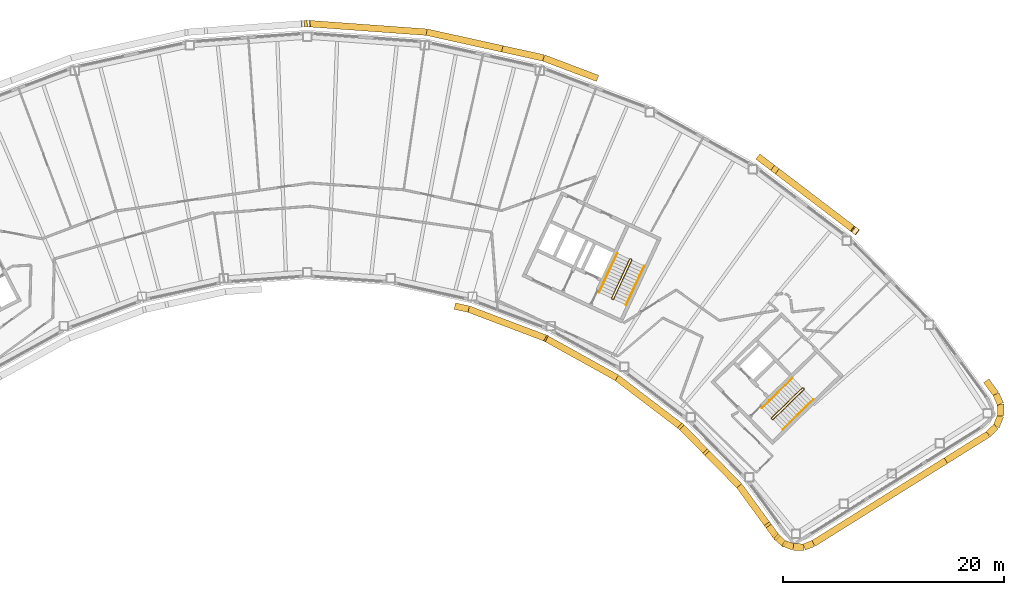
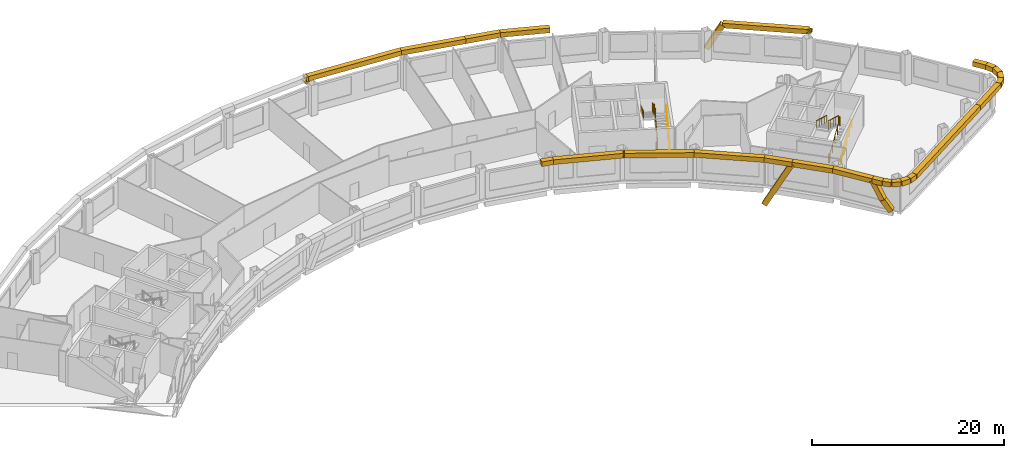
# One storey, part 13 of 13: 33 coverings, 6 railings.
"""IFC4 building model written with IfcOpenShell, lengths in metres."""

from ifc_helpers import new_model, si_unit, direction, frame, origin, origin_2d, place, context, subcontext, project, spatial, rectangle, circle, extrude, material, material_profile, profile_set, type_object, element, save


model = new_model("IFC4")

# Units and contexts
model_context = context("Model", 3, precision=1e-05, world=origin(), true_north=direction((0.0, 1.0)))
body_context = subcontext(model_context, "Body", "Model", "MODEL_VIEW")
ifc_project = project(units=[si_unit("LENGTHUNIT", "METRE"), si_unit("AREAUNIT", "SQUARE_METRE"), si_unit("VOLUMEUNIT", "CUBIC_METRE"), si_unit("PLANEANGLEUNIT", "RADIAN"), si_unit("MASSUNIT", "GRAM", prefix="KILO")], contexts=[model_context])

# Site, building, storey
site_placement = place(None, origin())
site = spatial("IfcSite", under=ifc_project, at=site_placement, CompositionType="ELEMENT")
building_placement = place(site_placement, origin())
building = spatial("IfcBuilding", under=site, at=building_placement, Name="Tuul Gate Civic Tower", CompositionType="ELEMENT")
storey_placement = place(building_placement, frame((0.0, 0.0, 230.5)))
storey = spatial("IfcBuildingStorey", under=building, at=storey_placement, Name="Level 52", CompositionType="ELEMENT", Elevation=230.5)

# Railings
ifc_material_1 = material(Name="Painted steel", Category="steel")
railing_type_1 = type_object("IfcRailingType", Name="Stair guard", PredefinedType="GUARDRAIL", material=ifc_material_1)
railing_1_placement = place(storey_placement, frame((48.10546875, -16.134765625, 0.0)))
element("IfcRailing", 1, at=railing_1_placement, inside=storey, type_object=railing_type_1, Name="Level 52 ST-3 stair guard 1", PredefinedType="GUARDRAIL", context=body_context, shape_type="SweptSolid", body=[
    extrude(circle(Radius=0.02392578125, at=origin_2d()), frame((0.0, 0.0, 1.076171875), z_axis=(-0.698506948293, 0.715603272202, 0.0), x_axis=(-0.715603272202, -0.698506948293, 0.0)), (0.0, 0.0, 1.0), 0.099853515625),
    extrude(circle(Radius=0.02392578125, at=origin_2d()), frame((-0.06982421875, 0.071533203125, 1.076171875), z_axis=(0.645446321009, -0.331687692741, 0.688027849131), x_axis=(0.457068866502, 0.889431307788, 0.0)), (0.0, 0.0, 1.0), 0.2177734375),
    extrude(circle(Radius=0.02392578125, at=origin_2d()), frame((0.07080078125, -0.000732421875, 1.22607421875), z_axis=(0.638715268259, 0.626117886127, 0.447235059857), x_axis=(-0.700029477518, 0.714113947914, 0.0)), (0.0, 0.0, 1.0), 4.360595703125),
    extrude(circle(Radius=0.02392578125, at=origin_2d()), frame((2.85595703125, 2.7294921875, 3.17626953125), z_axis=(0.010380063588, 0.999946125689, 0.0), x_axis=(-0.999946125689, 0.010380063588, 0.0)), (0.0, 0.0, 1.0), 0.070556640625),
    extrude(circle(Radius=0.02392578125, at=origin_2d()), frame((2.856689453125, 2.800048828125, 3.17626953125), z_axis=(-0.699754442181, 0.714383454909, 0.0), x_axis=(-0.714383454909, -0.699754442181, 0.0)), (0.0, 0.0, 1.0), 0.10009765625),
    extrude(circle(Radius=0.02392578125, at=origin_2d()), frame((2.78662109375, 2.87158203125, 3.17626953125), z_axis=(-0.427069033481, 0.004417955519, 0.904208229508), x_axis=(-0.010344274102, -0.999946496565, 0.0)), (0.0, 0.0, 1.0), 0.165771484375),
    extrude(circle(Radius=0.02392578125, at=origin_2d()), frame((2.7158203125, 2.872314453125, 3.326171875), z_axis=(-0.638731261263, -0.626133563701, 0.447190268558), x_axis=(0.700029477518, -0.714113947914, 0.0)), (0.0, 0.0, 1.0), 4.3603515625),
    extrude(circle(Radius=0.02099609375, at=origin_2d()), origin(), (0.0, 0.0, 1.0), 1.052001953125),
    extrude(circle(Radius=0.02099609375, at=origin_2d()), frame((-0.06982421875, 0.071533203125, 0.0)), (0.0, 0.0, 1.0), 1.052001953125),
    extrude(circle(Radius=0.02099609375, at=origin_2d()), frame((0.07080078125, -0.000732421875, 0.14990234375)), (0.0, 0.0, 1.0), 1.052001953125),
    extrude(circle(Radius=0.02099609375, at=origin_2d()), frame((0.76708984375, 0.681884765625, 0.637451171875)), (0.0, 0.0, 1.0), 1.052001953125),
    extrude(circle(Radius=0.02099609375, at=origin_2d()), frame((1.46337890625, 1.3642578125, 1.125)), (0.0, 0.0, 1.0), 1.052001953125),
    extrude(circle(Radius=0.02099609375, at=origin_2d()), frame((2.15966796875, 2.046875, 1.612548828125)), (0.0, 0.0, 1.0), 1.052001953125),
    extrude(circle(Radius=0.02099609375, at=origin_2d()), frame((2.85595703125, 2.7294921875, 2.10009765625)), (0.0, 0.0, 1.0), 1.052001953125),
    extrude(circle(Radius=0.02099609375, at=origin_2d()), frame((2.856689453125, 2.800048828125, 2.10009765625)), (0.0, 0.0, 1.0), 1.052001953125),
    extrude(circle(Radius=0.02099609375, at=origin_2d()), frame((2.78662109375, 2.87158203125, 2.10009765625)), (0.0, 0.0, 1.0), 1.052001953125),
    extrude(circle(Radius=0.02099609375, at=origin_2d()), frame((2.7158203125, 2.872314453125, 2.25)), (0.0, 0.0, 1.0), 1.052001953125),
    extrude(circle(Radius=0.02099609375, at=origin_2d()), frame((2.01953125, 2.189697265625, 2.737548828125)), (0.0, 0.0, 1.0), 1.052001953125),
    extrude(circle(Radius=0.02099609375, at=origin_2d()), frame((1.3232421875, 1.50732421875, 3.22509765625)), (0.0, 0.0, 1.0), 1.052001953125),
    extrude(circle(Radius=0.02099609375, at=origin_2d()), frame((0.626953125, 0.82470703125, 3.71240234375)), (0.0, 0.0, 1.0), 1.052001953125),
    extrude(circle(Radius=0.02099609375, at=origin_2d()), frame((-0.0693359375, 0.14208984375, 4.199951171875)), (0.0, 0.0, 1.0), 1.052001953125),
])
railing_2_placement = place(storey_placement, frame((33.645751953125, -5.238525390625, 0.0)))
element("IfcRailing", 2, at=railing_2_placement, inside=storey, type_object=railing_type_1, Name="Level 52 ST-4 stair guard 1", PredefinedType="GUARDRAIL", context=body_context, shape_type="SweptSolid", body=[
    extrude(circle(Radius=0.02392578125, at=origin_2d()), frame((0.0, 0.0, 1.076171875), z_axis=(-0.906307919131, 0.422617978463, 0.0), x_axis=(-0.422617978463, -0.906307919131, 0.0)), (0.0, 0.0, 1.0), 0.099853515625),
    extrude(circle(Radius=0.02392578125, at=origin_2d()), frame((-0.090576171875, 0.042236328125, 1.076171875), z_axis=(0.720735628292, -0.082946246491, 0.688229666829), x_axis=(0.114330889033, 0.993442724979, 0.0)), (0.0, 0.0, 1.0), 0.2177734375),
    extrude(circle(Radius=0.02392578125, at=origin_2d()), frame((0.06640625, 0.024169921875, 1.22607421875), z_axis=(0.377937439636, 0.810633814971, 0.447253965602), x_axis=(-0.906336612539, 0.422556439746, 0.0)), (0.0, 0.0, 1.0), 4.3603515625),
    extrude(circle(Radius=0.02392578125, at=origin_2d()), frame((1.71435546875, 3.558837890625, 3.17626953125), z_axis=(-0.342020437038, 0.939692513883, 0.0), x_axis=(-0.939692513883, -0.342020437038, 0.0)), (0.0, 0.0, 1.0), 0.070556640625),
    extrude(circle(Radius=0.02392578125, at=origin_2d()), frame((1.690185546875, 3.625244140625, 3.17626953125), z_axis=(-0.906307919131, 0.422617978463, 0.0), x_axis=(-0.422617978463, -0.906307919131, 0.0)), (0.0, 0.0, 1.0), 0.099853515625),
    extrude(circle(Radius=0.02392578125, at=origin_2d()), frame((1.599609375, 3.66748046875, 3.17626953125), z_axis=(-0.40070210376, -0.145843780413, 0.904526072458), x_axis=(0.342020437038, -0.939692513883, 0.0)), (0.0, 0.0, 1.0), 0.165771484375),
    extrude(circle(Radius=0.02392578125, at=origin_2d()), frame((1.533203125, 3.643310546875, 3.326171875), z_axis=(-0.377946903738, -0.810654114417, 0.447209173356), x_axis=(0.906336612539, -0.422556439746, 0.0)), (0.0, 0.0, 1.0), 4.3603515625),
    extrude(circle(Radius=0.02099609375, at=origin_2d()), origin(), (0.0, 0.0, 1.0), 1.052001953125),
    extrude(circle(Radius=0.02099609375, at=origin_2d()), frame((-0.090576171875, 0.042236328125, 0.0)), (0.0, 0.0, 1.0), 1.052001953125),
    extrude(circle(Radius=0.02099609375, at=origin_2d()), frame((0.06640625, 0.024169921875, 0.14990234375)), (0.0, 0.0, 1.0), 1.052001953125),
    extrude(circle(Radius=0.02099609375, at=origin_2d()), frame((0.478515625, 0.90771484375, 0.637451171875)), (0.0, 0.0, 1.0), 1.052001953125),
    extrude(circle(Radius=0.02099609375, at=origin_2d()), frame((0.890380859375, 1.79150390625, 1.125)), (0.0, 0.0, 1.0), 1.052001953125),
    extrude(circle(Radius=0.02099609375, at=origin_2d()), frame((1.30224609375, 2.67529296875, 1.612548828125)), (0.0, 0.0, 1.0), 1.052001953125),
    extrude(circle(Radius=0.02099609375, at=origin_2d()), frame((1.71435546875, 3.558837890625, 2.10009765625)), (0.0, 0.0, 1.0), 1.052001953125),
    extrude(circle(Radius=0.02099609375, at=origin_2d()), frame((1.690185546875, 3.625244140625, 2.10009765625)), (0.0, 0.0, 1.0), 1.052001953125),
    extrude(circle(Radius=0.02099609375, at=origin_2d()), frame((1.599609375, 3.66748046875, 2.10009765625)), (0.0, 0.0, 1.0), 1.052001953125),
    extrude(circle(Radius=0.02099609375, at=origin_2d()), frame((1.533203125, 3.643310546875, 2.25)), (0.0, 0.0, 1.0), 1.052001953125),
    extrude(circle(Radius=0.02099609375, at=origin_2d()), frame((1.12109375, 2.759765625, 2.737548828125)), (0.0, 0.0, 1.0), 1.052001953125),
    extrude(circle(Radius=0.02099609375, at=origin_2d()), frame((0.709228515625, 1.8759765625, 3.22509765625)), (0.0, 0.0, 1.0), 1.052001953125),
    extrude(circle(Radius=0.02099609375, at=origin_2d()), frame((0.29736328125, 0.9921875, 3.71240234375)), (0.0, 0.0, 1.0), 1.052001953125),
    extrude(circle(Radius=0.02099609375, at=origin_2d()), frame((-0.11474609375, 0.108642578125, 4.199951171875)), (0.0, 0.0, 1.0), 1.052001953125),
])
ifc_material_2 = material(Name="Painted steel", Category="steel")
railing_type_2 = type_object("IfcRailingType", Name="Stair handrail", PredefinedType="HANDRAIL", material=ifc_material_2)
railing_3_placement = place(storey_placement, frame((49.05126953125, -17.028076171875, 0.14990234375)))
element("IfcRailing", 3, at=railing_3_placement, inside=storey, type_object=railing_type_2, Name="Level 52 ST-3 stair handrail 1", PredefinedType="HANDRAIL", context=body_context, shape_type="SweptSolid", body=[
    extrude(circle(Radius=0.02392578125, at=origin_2d()), frame((0.0, 0.0, 0.8759765625), z_axis=(0.638737658801, 0.626083844733, 0.447250737947), x_axis=(-0.699997553204, 0.714145241186, 0.0)), (0.0, 0.0, 1.0), 4.3603515625),
    extrude(circle(Radius=0.02099609375, at=origin_2d()), origin(), (0.0, 0.0, 1.0), 0.851806640625),
    extrude(circle(Radius=0.02099609375, at=origin_2d()), frame((0.6962890625, 0.6826171875, 0.487548828125)), (0.0, 0.0, 1.0), 0.851806640625),
    extrude(circle(Radius=0.02099609375, at=origin_2d()), frame((1.392578125, 1.364990234375, 0.97509765625)), (0.0, 0.0, 1.0), 0.851806640625),
    extrude(circle(Radius=0.02099609375, at=origin_2d()), frame((2.0888671875, 2.04736328125, 1.462646484375)), (0.0, 0.0, 1.0), 0.851806640625),
    extrude(circle(Radius=0.02099609375, at=origin_2d()), frame((2.78515625, 2.72998046875, 1.9501953125)), (0.0, 0.0, 1.0), 0.851806640625),
])
railing_4_placement = place(storey_placement, frame((49.9462890625, -12.369873046875, 2.25)))
element("IfcRailing", 4, at=railing_4_placement, inside=storey, type_object=railing_type_2, Name="Level 52 ST-3 stair handrail 2", PredefinedType="HANDRAIL", context=body_context, shape_type="SweptSolid", body=[
    extrude(circle(Radius=0.02392578125, at=origin_2d()), frame((0.0, 0.0, 0.8759765625), z_axis=(-0.638753653487, -0.626099522554, 0.447205945863), x_axis=(0.699997553204, -0.714145241186, 0.0)), (0.0, 0.0, 1.0), 4.3603515625),
    extrude(circle(Radius=0.02099609375, at=origin_2d()), origin(), (0.0, 0.0, 1.0), 0.851806640625),
    extrude(circle(Radius=0.02099609375, at=origin_2d()), frame((-0.6962890625, -0.6826171875, 0.487548828125)), (0.0, 0.0, 1.0), 0.851806640625),
    extrude(circle(Radius=0.02099609375, at=origin_2d()), frame((-1.392578125, -1.364990234375, 0.97509765625)), (0.0, 0.0, 1.0), 0.851806640625),
    extrude(circle(Radius=0.02099609375, at=origin_2d()), frame((-2.0888671875, -2.04736328125, 1.46240234375)), (0.0, 0.0, 1.0), 0.851806640625),
    extrude(circle(Radius=0.02099609375, at=origin_2d()), frame((-2.78515625, -2.72998046875, 1.949951171875)), (0.0, 0.0, 1.0), 0.851806640625),
])
railing_5_placement = place(storey_placement, frame((34.844970703125, -5.74267578125, 0.14990234375)))
element("IfcRailing", 5, at=railing_5_placement, inside=storey, type_object=railing_type_2, Name="Level 52 ST-4 stair handrail 1", PredefinedType="HANDRAIL", context=body_context, shape_type="SweptSolid", body=[
    extrude(circle(Radius=0.02392578125, at=origin_2d()), frame((0.0, 0.0, 0.8759765625), z_axis=(0.377985431313, 0.810616660428, 0.447244500863), x_axis=(-0.906312636903, 0.422607861012, 0.0)), (0.0, 0.0, 1.0), 4.3603515625),
    extrude(circle(Radius=0.02099609375, at=origin_2d()), origin(), (0.0, 0.0, 1.0), 0.851806640625),
    extrude(circle(Radius=0.02099609375, at=origin_2d()), frame((0.412109375, 0.8837890625, 0.487548828125)), (0.0, 0.0, 1.0), 0.851806640625),
    extrude(circle(Radius=0.02099609375, at=origin_2d()), frame((0.82421875, 1.767333984375, 0.97509765625)), (0.0, 0.0, 1.0), 0.851806640625),
    extrude(circle(Radius=0.02099609375, at=origin_2d()), frame((1.236083984375, 2.65087890625, 1.462646484375)), (0.0, 0.0, 1.0), 0.851806640625),
    extrude(circle(Radius=0.02099609375, at=origin_2d()), frame((1.648193359375, 3.53466796875, 1.9501953125)), (0.0, 0.0, 1.0), 0.851806640625),
])
railing_6_placement = place(storey_placement, frame((34.046142578125, -1.06689453125, 2.25)))
element("IfcRailing", 6, at=railing_6_placement, inside=storey, type_object=railing_type_2, Name="Level 52 ST-4 stair handrail 2", PredefinedType="HANDRAIL", context=body_context, shape_type="SweptSolid", body=[
    extrude(circle(Radius=0.02392578125, at=origin_2d()), frame((0.0, 0.0, 0.8759765625), z_axis=(-0.377994896215, -0.810636958585, 0.447199709091), x_axis=(0.906312636903, -0.422607861012, 0.0)), (0.0, 0.0, 1.0), 4.3603515625),
    extrude(circle(Radius=0.02099609375, at=origin_2d()), origin(), (0.0, 0.0, 1.0), 0.851806640625),
    extrude(circle(Radius=0.02099609375, at=origin_2d()), frame((-0.412109375, -0.8837890625, 0.487548828125)), (0.0, 0.0, 1.0), 0.851806640625),
    extrude(circle(Radius=0.02099609375, at=origin_2d()), frame((-0.82421875, -1.767333984375, 0.97509765625)), (0.0, 0.0, 1.0), 0.851806640625),
    extrude(circle(Radius=0.02099609375, at=origin_2d()), frame((-1.236083984375, -2.65087890625, 1.46240234375)), (0.0, 0.0, 1.0), 0.851806640625),
    extrude(circle(Radius=0.02099609375, at=origin_2d()), frame((-1.648193359375, -3.53466796875, 1.949951171875)), (0.0, 0.0, 1.0), 0.851806640625),
])

# Coverings
ifc_material_3 = material(Name="Terracotta baguette", Category="masonry")
ifc_material_profile = material_profile(ifc_material_3, rectangle(XDim=0.60009765625, YDim=0.60009765625, at=origin_2d()), Name="Terracotta baguette screen frame")
ifc_profile_set = profile_set([ifc_material_profile], Name="Terracotta baguette")
covering_type = type_object("IfcCoveringType", Name="Terracotta baguette screen frame", PredefinedType="CLADDING", material=ifc_profile_set)
covering_1_placement = place(storey_placement, frame((63.840087890625, -19.85986328125, 3.85009765625), z_axis=(0.848058898511, 0.529901976461, 0.0), x_axis=(-0.529901976461, 0.848058898511, 0.0)))
element("IfcCovering", 7, at=covering_1_placement, inside=storey, type_object=covering_type, Name="Baguette 11", PredefinedType="CLADDING", context=body_context, shape_type="SweptSolid", body=[
    extrude(rectangle(XDim=0.60009765625, YDim=0.60009765625, at=origin_2d()), origin(), (0.0, 0.0, 1.0), 4.526611328125),
])
covering_2_placement = place(storey_placement, frame((67.678955078125, -17.461181640625, 3.85009765625), z_axis=(0.72214250975, 0.691744313755, 0.0), x_axis=(-0.691744313755, 0.72214250975, 0.0)))
element("IfcCovering", 8, at=covering_2_placement, inside=storey, type_object=covering_type, Name="Baguette 12", PredefinedType="CLADDING", context=body_context, shape_type="SweptSolid", body=[
    extrude(rectangle(XDim=0.60009765625, YDim=0.60009765625, at=origin_2d()), origin(), (0.0, 0.0, 1.0), 0.98779296875),
])
covering_3_placement = place(storey_placement, frame((68.392333984375, -16.77783203125, 3.85009765625), z_axis=(0.386870941786, 0.922133870109, 0.0), x_axis=(-0.922133870109, 0.386870941786, 0.0)))
element("IfcCovering", 9, at=covering_3_placement, inside=storey, type_object=covering_type, Name="Baguette 13", PredefinedType="CLADDING", context=body_context, shape_type="SweptSolid", body=[
    extrude(rectangle(XDim=0.60009765625, YDim=0.60009765625, at=origin_2d()), origin(), (0.0, 0.0, 1.0), 1.06787109375),
])
covering_4_placement = place(storey_placement, frame((68.805419921875, -15.793212890625, 3.85009765625), z_axis=(-0.01602358356, 0.999871614143, 0.0), x_axis=(-0.999871614143, -0.01602358356, 0.0)))
element("IfcCovering", 10, at=covering_4_placement, inside=storey, type_object=covering_type, Name="Baguette 14", PredefinedType="CLADDING", context=body_context, shape_type="SweptSolid", body=[
    extrude(rectangle(XDim=0.60009765625, YDim=0.60009765625, at=origin_2d()), origin(), (0.0, 0.0, 1.0), 1.066650390625),
])
covering_5_placement = place(storey_placement, frame((68.788330078125, -14.726806640625, 3.85009765625), z_axis=(-0.411884607508, 0.911236012292, 0.0), x_axis=(-0.911236012292, -0.411884607508, 0.0)))
element("IfcCovering", 11, at=covering_5_placement, inside=storey, type_object=covering_type, Name="Baguette 15", PredefinedType="CLADDING", context=body_context, shape_type="SweptSolid", body=[
    extrude(rectangle(XDim=0.60009765625, YDim=0.60009765625, at=origin_2d()), origin(), (0.0, 0.0, 1.0), 0.988037109375),
])
covering_6_placement = place(storey_placement, frame((68.38134765625, -13.826416015625, 3.85009765625), z_axis=(-0.58973401814, 0.807597540764, 0.0), x_axis=(-0.807597540764, -0.58973401814, 0.0)))
element("IfcCovering", 12, at=covering_6_placement, inside=storey, type_object=covering_type, Name="Baguette 16", PredefinedType="CLADDING", context=body_context, shape_type="SweptSolid", body=[
    extrude(rectangle(XDim=0.60009765625, YDim=0.60009765625, at=origin_2d()), origin(), (0.0, 0.0, 1.0), 1.494873046875),
])
covering_7_placement = place(storey_placement, frame((55.633544921875, 0.976806640625, 3.93408203125), z_axis=(-0.58436318787, 0.44419499078, -0.679124785903), x_axis=(-0.605151459078, -0.796110363942, 0.0)))
element("IfcCovering", 13, at=covering_7_placement, inside=storey, type_object=covering_type, Name="Baguette 30", PredefinedType="CLADDING", context=body_context, shape_type="SweptSolid", body=[
    extrude(rectangle(XDim=0.60009765625, YDim=0.60009765625, at=origin_2d()), origin(), (0.0, 0.0, 1.0), 0.123779296875),
])
covering_8_placement = place(storey_placement, frame((55.561279296875, 1.03173828125, 3.85009765625), z_axis=(0.378497746788, -0.287709435903, -0.879751519561), x_axis=(0.605151459078, 0.796110363942, 0.0)))
element("IfcCovering", 14, at=covering_8_placement, inside=storey, type_object=covering_type, Name="Baguette 34", PredefinedType="CLADDING", context=body_context, shape_type="SweptSolid", body=[
    extrude(rectangle(XDim=0.60009765625, YDim=0.60009765625, at=origin_2d()), origin(), (0.0, 0.0, 1.0), 0.19091796875),
])
covering_9_placement = place(storey_placement, frame((55.561279296875, 1.03173828125, 3.85009765625), z_axis=(-0.795609596357, 0.605809681488, 0.0), x_axis=(-0.605809681488, -0.795609596357, 0.0)))
element("IfcCovering", 15, at=covering_9_placement, inside=storey, type_object=covering_type, Name="Baguette 36", PredefinedType="CLADDING", context=body_context, shape_type="SweptSolid", body=[
    extrude(rectangle(XDim=0.60009765625, YDim=0.60009765625, at=origin_2d()), origin(), (0.0, 0.0, 1.0), 9.072265625),
])
covering_10_placement = place(storey_placement, frame((48.34326171875, 6.52783203125, 3.85009765625), z_axis=(-0.37804535846, 0.287828427225, -0.879907099317), x_axis=(-0.605768691074, -0.795640806467, 0.0)))
element("IfcCovering", 16, at=covering_10_placement, inside=storey, type_object=covering_type, Name="Baguette 41", PredefinedType="CLADDING", context=body_context, shape_type="SweptSolid", body=[
    extrude(rectangle(XDim=0.60009765625, YDim=0.60009765625, at=origin_2d()), origin(), (0.0, 0.0, 1.0), 3.55322265625),
])
covering_11_placement = place(storey_placement, frame((32.26611328125, 14.793701171875, 3.85009765625), z_axis=(-0.93538863906, 0.353621399123, 0.0), x_axis=(-0.353621399123, -0.93538863906, 0.0)))
element("IfcCovering", 17, at=covering_11_placement, inside=storey, type_object=covering_type, Name="Baguette 57", PredefinedType="CLADDING", context=body_context, shape_type="SweptSolid", body=[
    extrude(rectangle(XDim=0.60009765625, YDim=0.60009765625, at=origin_2d()), origin(), (0.0, 0.0, 1.0), 5.24560546875),
])
covering_12_placement = place(storey_placement, frame((27.359375, 16.648681640625, 3.85009765625), z_axis=(-0.976554947182, 0.21526828641, 0.0), x_axis=(-0.21526828641, -0.976554947182, 0.0)))
element("IfcCovering", 18, at=covering_12_placement, inside=storey, type_object=covering_type, Name="Baguette 58", PredefinedType="CLADDING", context=body_context, shape_type="SweptSolid", body=[
    extrude(rectangle(XDim=0.60009765625, YDim=0.60009765625, at=origin_2d()), origin(), (0.0, 0.0, 1.0), 3.826416015625),
])
covering_13_placement = place(storey_placement, frame((5.67138671875, 19.74951171875, 3.85009765625), z_axis=(0.473792597788, 0.034457643475, -0.879962070255), x_axis=(-0.072535695779, 0.997365816959, 0.0)))
element("IfcCovering", 19, at=covering_13_placement, inside=storey, type_object=covering_type, Name="Baguette 76", PredefinedType="CLADDING", context=body_context, shape_type="SweptSolid", body=[
    extrude(rectangle(XDim=0.60009765625, YDim=0.60009765625, at=origin_2d()), origin(), (0.0, 0.0, 1.0), 0.56689453125),
])
covering_14_placement = place(storey_placement, frame((19.3173828125, -5.846923828125, 3.85009765625), z_axis=(0.976566893409, -0.215214085734, 0.0), x_axis=(0.215214085734, 0.976566893409, 0.0)))
element("IfcCovering", 20, at=covering_14_placement, inside=storey, type_object=covering_type, Name="Baguette 233", PredefinedType="CLADDING", context=body_context, shape_type="SweptSolid", body=[
    extrude(rectangle(XDim=0.60009765625, YDim=0.60009765625, at=origin_2d()), origin(), (0.0, 0.0, 1.0), 1.29541015625),
])
covering_15_placement = place(storey_placement, frame((20.58251953125, -6.125732421875, 3.85009765625), z_axis=(0.935368082117, -0.353675770951, 0.0), x_axis=(0.353675770951, 0.935368082117, 0.0)))
element("IfcCovering", 21, at=covering_15_placement, inside=storey, type_object=covering_type, Name="Baguette 234", PredefinedType="CLADDING", context=body_context, shape_type="SweptSolid", body=[
    extrude(rectangle(XDim=0.60009765625, YDim=0.60009765625, at=origin_2d()), origin(), (0.0, 0.0, 1.0), 7.41796875),
])
covering_16_placement = place(storey_placement, frame((27.52099609375, -8.749267578125, 3.85009765625), z_axis=(0.874572816863, -0.484894202898, 0.0), x_axis=(0.484894202898, 0.874572816863, 0.0)))
element("IfcCovering", 22, at=covering_16_placement, inside=storey, type_object=covering_type, Name="Baguette 235", PredefinedType="CLADDING", context=body_context, shape_type="SweptSolid", body=[
    extrude(rectangle(XDim=0.60009765625, YDim=0.60009765625, at=origin_2d()), origin(), (0.0, 0.0, 1.0), 0.138427734375),
])
covering_17_placement = place(storey_placement, frame((42.014892578125, -18.98681640625, 3.85009765625), z_axis=(-0.32630863409, 0.332895374499, -0.884705230546), x_axis=(-0.714136515661, -0.700006454969, 0.0)))
element("IfcCovering", 23, at=covering_17_placement, inside=storey, type_object=covering_type, Name="Baguette 254", PredefinedType="CLADDING", context=body_context, shape_type="SweptSolid", body=[
    extrude(rectangle(XDim=0.60009765625, YDim=0.60009765625, at=origin_2d()), origin(), (0.0, 0.0, 1.0), 6.449462890625),
])
covering_18_placement = place(storey_placement, frame((42.014892578125, -18.98681640625, 3.85009765625), z_axis=(0.70007196419, -0.714072296728, 0.0), x_axis=(0.714072296728, 0.70007196419, 0.0)))
element("IfcCovering", 24, at=covering_18_placement, inside=storey, type_object=covering_type, Name="Baguette 256", PredefinedType="CLADDING", context=body_context, shape_type="SweptSolid", body=[
    extrude(rectangle(XDim=0.60009765625, YDim=0.60009765625, at=origin_2d()), origin(), (0.0, 0.0, 1.0), 4.411865234375),
])
covering_19_placement = place(storey_placement, frame((45.103515625, -22.13720703125, 3.85009765625), z_axis=(0.589722543069, -0.80760592011, 0.0), x_axis=(0.80760592011, 0.589722543069, 0.0)))
element("IfcCovering", 25, at=covering_19_placement, inside=storey, type_object=covering_type, Name="Baguette 257", PredefinedType="CLADDING", context=body_context, shape_type="SweptSolid", body=[
    extrude(rectangle(XDim=0.60009765625, YDim=0.60009765625, at=origin_2d()), origin(), (0.0, 0.0, 1.0), 4.517822265625),
])
covering_20_placement = place(storey_placement, frame((47.767822265625, -25.785888671875, 3.85009765625), z_axis=(0.278694603612, -0.381629545147, -0.881299159303), x_axis=(0.807581128041, 0.589756493505, 0.0)))
element("IfcCovering", 26, at=covering_20_placement, inside=storey, type_object=covering_type, Name="Baguette 270", PredefinedType="CLADDING", context=body_context, shape_type="SweptSolid", body=[
    extrude(rectangle(XDim=0.60009765625, YDim=0.60009765625, at=origin_2d()), origin(), (0.0, 0.0, 1.0), 2.440673828125),
])
covering_21_placement = place(storey_placement, frame((48.447998046875, -26.71728515625, 1.69921875), z_axis=(0.418387257924, -0.391850083924, -0.819393442819), x_axis=(0.683580829185, 0.729874818013, 0.0)))
element("IfcCovering", 27, at=covering_21_placement, inside=storey, type_object=covering_type, Name="Baguette 271", PredefinedType="CLADDING", context=body_context, shape_type="SweptSolid", body=[
    extrude(rectangle(XDim=0.60009765625, YDim=0.60009765625, at=origin_2d()), origin(), (0.0, 0.0, 1.0), 1.5732421875),
])
covering_22_placement = place(storey_placement, frame((23.62255859375, 17.472412109375, 3.85009765625), z_axis=(-0.976569873153, 0.21520056424, 0.0), x_axis=(-0.21520056424, -0.976569873153, 0.0)))
element("IfcCovering", 28, at=covering_22_placement, inside=storey, type_object=covering_type, Name="Baguette 302", PredefinedType="CLADDING", context=body_context, shape_type="SweptSolid", body=[
    extrude(rectangle(XDim=0.60009765625, YDim=0.60009765625, at=origin_2d()), origin(), (0.0, 0.0, 1.0), 7.024658203125),
])
covering_23_placement = place(storey_placement, frame((16.762451171875, 18.984130859375, 3.85009765625), z_axis=(-0.997380328027, 0.072335891958, 0.0), x_axis=(-0.072335891958, -0.997380328027, 0.0)))
element("IfcCovering", 29, at=covering_23_placement, inside=storey, type_object=covering_type, Name="Baguette 303", PredefinedType="CLADDING", context=body_context, shape_type="SweptSolid", body=[
    extrude(rectangle(XDim=0.60009765625, YDim=0.60009765625, at=origin_2d()), origin(), (0.0, 0.0, 1.0), 10.850830078125),
])
covering_24_placement = place(storey_placement, frame((5.93994140625, 19.76904296875, 3.85009765625), z_axis=(-0.997365816959, -0.072535695779, 0.0), x_axis=(0.072535695779, -0.997365816959, 0.0)))
element("IfcCovering", 30, at=covering_24_placement, inside=storey, type_object=covering_type, Name="Baguette 304", PredefinedType="CLADDING", context=body_context, shape_type="SweptSolid", body=[
    extrude(rectangle(XDim=0.60009765625, YDim=0.60009765625, at=origin_2d()), origin(), (0.0, 0.0, 1.0), 0.269287109375),
])
covering_25_placement = place(storey_placement, frame((27.64208984375, -8.81640625, 3.85009765625), z_axis=(0.874609346137, -0.484828311518, 0.0), x_axis=(0.484828311518, 0.874609346137, 0.0)))
element("IfcCovering", 31, at=covering_25_placement, inside=storey, type_object=covering_type, Name="Baguette 361", PredefinedType="CLADDING", context=body_context, shape_type="SweptSolid", body=[
    extrude(rectangle(XDim=0.60009765625, YDim=0.60009765625, at=origin_2d()), origin(), (0.0, 0.0, 1.0), 7.279541015625),
])
covering_26_placement = place(storey_placement, frame((34.0087890625, -12.345703125, 3.85009765625), z_axis=(0.795582797942, -0.60584487422, 0.0), x_axis=(0.60584487422, 0.795582797942, 0.0)))
element("IfcCovering", 32, at=covering_26_placement, inside=storey, type_object=covering_type, Name="Baguette 362", PredefinedType="CLADDING", context=body_context, shape_type="SweptSolid", body=[
    extrude(rectangle(XDim=0.60009765625, YDim=0.60009765625, at=origin_2d()), origin(), (0.0, 0.0, 1.0), 7.41796875),
])
covering_27_placement = place(storey_placement, frame((39.910400390625, -16.83984375, 3.85009765625), z_axis=(0.700006454969, -0.714136515661, 0.0), x_axis=(0.714136515661, 0.700006454969, 0.0)))
element("IfcCovering", 33, at=covering_27_placement, inside=storey, type_object=covering_type, Name="Baguette 363", PredefinedType="CLADDING", context=body_context, shape_type="SweptSolid", body=[
    extrude(rectangle(XDim=0.60009765625, YDim=0.60009765625, at=origin_2d()), origin(), (0.0, 0.0, 1.0), 3.00634765625),
])
covering_28_placement = place(storey_placement, frame((47.767822265625, -25.785888671875, 3.85009765625), z_axis=(0.589756493505, -0.807581128041, 0.0), x_axis=(0.807581128041, 0.589756493505, 0.0)))
element("IfcCovering", 34, at=covering_28_placement, inside=storey, type_object=covering_type, Name="Baguette 370", PredefinedType="CLADDING", context=body_context, shape_type="SweptSolid", body=[
    extrude(rectangle(XDim=0.60009765625, YDim=0.60009765625, at=origin_2d()), origin(), (0.0, 0.0, 1.0), 1.1533203125),
])
covering_29_placement = place(storey_placement, frame((48.447998046875, -26.71728515625, 3.85009765625), z_axis=(0.729874818013, -0.683580829185, 0.0), x_axis=(0.683580829185, 0.729874818013, 0.0)))
element("IfcCovering", 35, at=covering_29_placement, inside=storey, type_object=covering_type, Name="Baguette 371", PredefinedType="CLADDING", context=body_context, shape_type="SweptSolid", body=[
    extrude(rectangle(XDim=0.60009765625, YDim=0.60009765625, at=origin_2d()), origin(), (0.0, 0.0, 1.0), 0.90185546875),
])
covering_30_placement = place(storey_placement, frame((49.106201171875, -27.333740234375, 3.85009765625), z_axis=(0.929477054746, -0.368879932634, 0.0), x_axis=(0.368879932634, 0.929477054746, 0.0)))
element("IfcCovering", 36, at=covering_30_placement, inside=storey, type_object=covering_type, Name="Baguette 372", PredefinedType="CLADDING", context=body_context, shape_type="SweptSolid", body=[
    extrude(rectangle(XDim=0.60009765625, YDim=0.60009765625, at=origin_2d()), origin(), (0.0, 0.0, 1.0), 0.972900390625),
])
covering_31_placement = place(storey_placement, frame((50.010498046875, -27.692626953125, 3.85009765625), z_axis=(0.999996194073, -0.002758956141, 0.0), x_axis=(0.002758956141, 0.999996194073, 0.0)))
element("IfcCovering", 37, at=covering_31_placement, inside=storey, type_object=covering_type, Name="Baguette 373", PredefinedType="CLADDING", context=body_context, shape_type="SweptSolid", body=[
    extrude(rectangle(XDim=0.60009765625, YDim=0.60009765625, at=origin_2d()), origin(), (0.0, 0.0, 1.0), 0.973388671875),
])
covering_32_placement = place(storey_placement, frame((50.98388671875, -27.6953125, 3.85009765625), z_axis=(0.93189278144, 0.362733847194, 0.0), x_axis=(-0.362733847194, 0.93189278144, 0.0)))
element("IfcCovering", 38, at=covering_32_placement, inside=storey, type_object=covering_type, Name="Baguette 374", PredefinedType="CLADDING", context=body_context, shape_type="SweptSolid", body=[
    extrude(rectangle(XDim=0.60009765625, YDim=0.60009765625, at=origin_2d()), origin(), (0.0, 0.0, 1.0), 0.901123046875),
])
covering_33_placement = place(storey_placement, frame((51.82373046875, -27.368408203125, 3.85009765625), z_axis=(0.848051539004, 0.529913754486, 0.0), x_axis=(-0.529913754486, 0.848051539004, 0.0)))
element("IfcCovering", 39, at=covering_33_placement, inside=storey, type_object=covering_type, Name="Baguette 375", PredefinedType="CLADDING", context=body_context, shape_type="SweptSolid", body=[
    extrude(rectangle(XDim=0.60009765625, YDim=0.60009765625, at=origin_2d()), origin(), (0.0, 0.0, 1.0), 14.16943359375),
])

save(model, "model.ifc")
